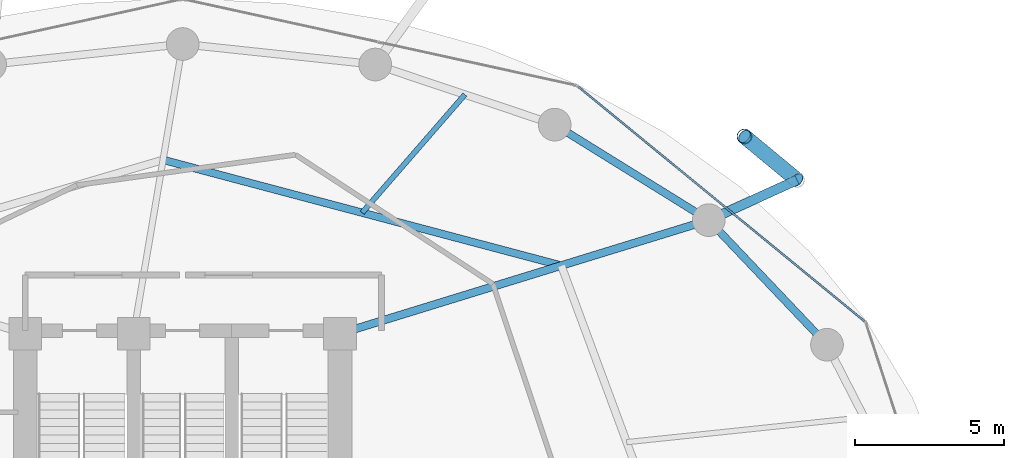
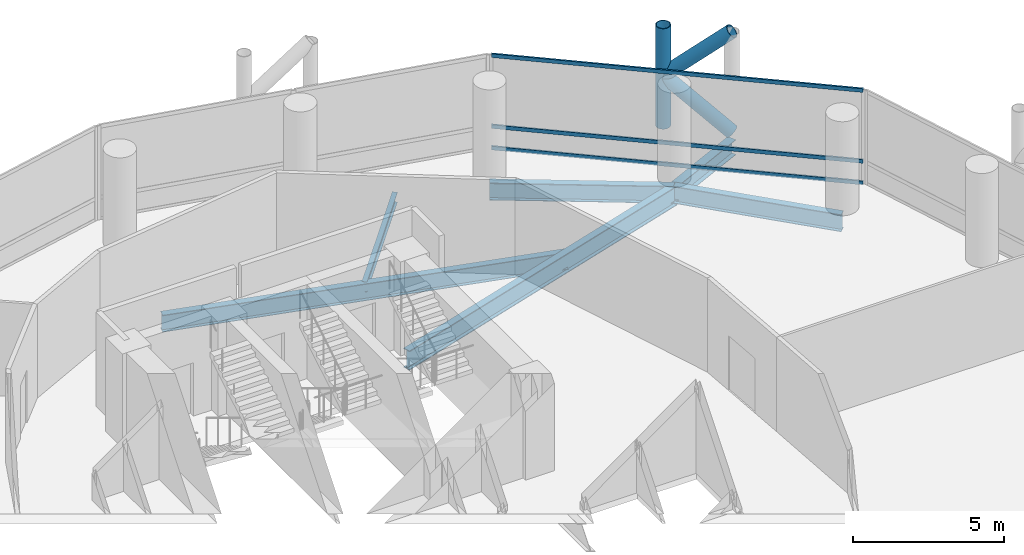
# One storey, part 17 of 24: 6 beams, 6 members, 1 element without a shape of its own.
"""IFC4 building model written with IfcOpenShell, lengths in metres."""

from ifc_helpers import new_model, si_unit, direction, frame, origin, origin_2d, place, context, subcontext, project, spatial, hollow_rectangle, hollow_circle, i_section, extrude, material, layer, layer_set, material_profile, profile_set, type_object, element, aggregate, save


model = new_model("IFC4")

# Units and contexts
model_context = context("Model", 3, precision=1e-05, world=origin(), true_north=direction((0.0, 1.0)))
body_context = subcontext(model_context, "Body", "Model", "MODEL_VIEW")
ifc_project = project(units=[si_unit("LENGTHUNIT", "METRE"), si_unit("AREAUNIT", "SQUARE_METRE"), si_unit("VOLUMEUNIT", "CUBIC_METRE"), si_unit("PLANEANGLEUNIT", "RADIAN"), si_unit("MASSUNIT", "GRAM", prefix="KILO")], contexts=[model_context])

# Site, building, storey
site_placement = place(None, origin())
site = spatial("IfcSite", under=ifc_project, at=site_placement, CompositionType="ELEMENT")
building_placement = place(site_placement, origin())
building = spatial("IfcBuilding", under=site, at=building_placement, Name="Nuhasar Tower", CompositionType="ELEMENT")
storey_placement = place(building_placement, frame((0.0, 0.0, 41.25)))
storey = spatial("IfcBuildingStorey", under=building, at=storey_placement, Name="L09", CompositionType="ELEMENT", Elevation=41.25)

# Beams
ifc_material_1 = material(Name="Steel S355", Category="steel")
ifc_material_profile_1 = material_profile(ifc_material_1, i_section(OverallWidth=0.25390625, OverallDepth=0.68408203125, WebThickness=0.012451171875, FlangeThickness=0.018798828125, at=origin_2d()), Name="W27X94")
ifc_profile_set_1 = profile_set([ifc_material_profile_1], Name="Steel S355")
beam_type_1 = type_object("IfcBeamType", Name="BM-INRING-W27X94", PredefinedType="BEAM", material=ifc_profile_set_1)
beam_1_placement = place(storey_placement, frame((51.748046875, 39.591064453125, -0.60205078125), z_axis=(-0.96653253005, 0.256544086574, 0.0), x_axis=(-0.256544086574, -0.96653253005, 0.0)))
element("IfcBeam", 1, at=beam_1_placement, inside=storey, type_object=beam_type_1, Name="L09 Inner Header Beam 05", PredefinedType="BEAM", context=body_context, shape_type="SweptSolid", body=[
    extrude(i_section(OverallWidth=0.25390625, OverallDepth=0.68408203125, WebThickness=0.012451171875, FlangeThickness=0.018798828125, at=origin_2d()), origin(), (0.0, 0.0, 1.0), 13.872314453125),
])
ifc_material_profile_2 = material_profile(ifc_material_1, i_section(OverallWidth=0.177978515625, OverallDepth=0.406005859375, WebThickness=0.0078125, FlangeThickness=0.0126953125, at=origin_2d()), Name="W16X40")
ifc_profile_set_2 = profile_set([ifc_material_profile_2], Name="Steel S355")
beam_type_2 = type_object("IfcBeamType", Name="BM-JST-W16X40", PredefinedType="JOIST", material=ifc_profile_set_2)
beam_2_placement = place(storey_placement, frame((45.0439453125, 41.3701171875, -0.462890625), z_axis=(0.656174129694, 0.754609509296, 0.0), x_axis=(-0.754609509296, 0.656174129694, 0.0)))
element("IfcBeam", 2, at=beam_2_placement, inside=storey, type_object=beam_type_2, Name="L09 Secondary Floor Joist 05", PredefinedType="JOIST", context=body_context, shape_type="SweptSolid", body=[
    extrude(i_section(OverallWidth=0.177978515625, OverallDepth=0.406005859375, WebThickness=0.0078125, FlangeThickness=0.0126953125, at=origin_2d()), origin(), (0.0, 0.0, 1.0), 5.27294921875),
])
ifc_material_profile_3 = material_profile(ifc_material_1, i_section(OverallWidth=0.26611328125, OverallDepth=0.779052734375, WebThickness=0.0166015625, FlangeThickness=0.030029296875, at=origin_2d()), Name="W30X148")
ifc_profile_set_3 = profile_set([ifc_material_profile_3], Name="Steel S355")
beam_type_3 = type_object("IfcBeamType", Name="BM-RAD-W30X148", PredefinedType="BEAM", material=ifc_profile_set_3)
beam_3_placement = place(storey_placement, frame((44.300048828125, 37.300048828125, -0.64892578125), z_axis=(0.955789576103, 0.294051502653, 0.0), x_axis=(-0.294051502653, 0.955789576103, 0.0)))
element("IfcBeam", 3, at=beam_3_placement, inside=storey, type_object=beam_type_3, Name="L09 Radial Floor Girder 05", PredefinedType="BEAM", context=body_context, shape_type="SweptSolid", body=[
    extrude(i_section(OverallWidth=0.26611328125, OverallDepth=0.779052734375, WebThickness=0.0166015625, FlangeThickness=0.030029296875, at=origin_2d()), origin(), (0.0, 0.0, 1.0), 12.987060546875),
])
ifc_material_profile_4 = material_profile(ifc_material_1, i_section(OverallWidth=0.256103515625, OverallDepth=0.693115234375, WebThickness=0.014404296875, FlangeThickness=0.023681640625, at=origin_2d()), Name="W27X114")
ifc_profile_set_4 = profile_set([ifc_material_profile_4], Name="Steel S355")
beam_type_4 = type_object("IfcBeamType", Name="BM-RING-W27X114", PredefinedType="SPANDREL", material=ifc_profile_set_4)
beam_4_placement = place(storey_placement, frame((60.694091796875, 36.925048828125, -0.60595703125), z_axis=(-0.688480893507, 0.725254478976, 0.0), x_axis=(-0.725254478976, -0.688480893507, 0.0)))
element("IfcBeam", 4, at=beam_4_placement, inside=storey, type_object=beam_type_4, Name="L09 Perimeter Ring Spandrel 03", PredefinedType="SPANDREL", context=body_context, shape_type="SweptSolid", body=[
    extrude(i_section(OverallWidth=0.256103515625, OverallDepth=0.693115234375, WebThickness=0.014404296875, FlangeThickness=0.023681640625, at=origin_2d()), origin(), (0.0, 0.0, 1.0), 5.782470703125),
])
beam_5_placement = place(storey_placement, frame((56.712890625, 41.118896484375, -0.60595703125), z_axis=(-0.849795216549, 0.527112976439, 0.0), x_axis=(-0.527112976439, -0.849795216549, 0.0)))
element("IfcBeam", 5, at=beam_5_placement, inside=storey, type_object=beam_type_4, Name="L09 Perimeter Ring Spandrel 04", PredefinedType="SPANDREL", context=body_context, shape_type="SweptSolid", body=[
    extrude(i_section(OverallWidth=0.256103515625, OverallDepth=0.693115234375, WebThickness=0.014404296875, FlangeThickness=0.023681640625, at=origin_2d()), origin(), (0.0, 0.0, 1.0), 6.10498046875),
])
ifc_material_profile_5 = material_profile(ifc_material_1, i_section(OverallWidth=0.323974609375, OverallDepth=0.611083984375, WebThickness=0.0126953125, FlangeThickness=0.01904296875, at=origin_2d()), Name="W24X104")
ifc_profile_set_5 = profile_set([ifc_material_profile_5], Name="Steel S355")
beam_type_5 = type_object("IfcBeamType", Name="BM-TIE-W24X104", PredefinedType="BEAM", material=ifc_profile_set_5)
beam_6_placement = place(storey_placement, frame((56.712890625, 41.118896484375, -0.56591796875), z_axis=(0.910243528587, 0.414073325227, 0.0), x_axis=(-0.414073325227, 0.910243528587, 0.0)))
element("IfcBeam", 6, at=beam_6_placement, inside=storey, type_object=beam_type_5, Name="L09 Exoskeleton Node Tie Beam 02", PredefinedType="BEAM", context=body_context, shape_type="SweptSolid", body=[
    extrude(i_section(OverallWidth=0.323974609375, OverallDepth=0.611083984375, WebThickness=0.0126953125, FlangeThickness=0.01904296875, at=origin_2d()), origin(), (0.0, 0.0, 1.0), 3.26513671875),
])

# Curtain wall, members
ifc_material_2 = material(Name="Aluminium 6063-T6", Category="aluminium")
ifc_layer = layer(ifc_material_2, 0.199951171875)
ifc_layer_set = layer_set([ifc_layer], Name="Aluminium 6063-T6")
curtain_wall_type = type_object("IfcCurtainWallType", Name="CW-Z1-OFF", PredefinedType="NOTDEFINED", material=ifc_layer_set)
curtain_wall_placement = place(storey_placement, origin())
curtain_wall = element("IfcCurtainWall", 7, at=curtain_wall_placement, inside=storey, type_object=curtain_wall_type, Name="L09 Unitised Curtain Wall 02", PredefinedType="NOTDEFINED")
ifc_material_profile_6 = material_profile(ifc_material_2, hollow_rectangle(XDim=0.06494140625, YDim=0.14990234375, WallThickness=0.00439453125, at=origin_2d()), Name="CWT-2")
ifc_profile_set_6 = profile_set([ifc_material_profile_6], Name="Aluminium 6063-T6")
member_type_1 = type_object("IfcMemberType", Name="CW-TRN-S2", PredefinedType="USERDEFINED", material=ifc_profile_set_6)
member_1_placement = place(storey_placement, frame((61.95166015625, 37.72119140625, 0.032470703125), z_axis=(-0.773540851599, 0.633746440548, 0.0), x_axis=(-0.633746440548, -0.773540851599, 0.0)))
member_1 = element("IfcMember", 8, at=member_1_placement, type_object=member_type_1, Name="CW-Z1 transom 1.1", ObjectType="TRANSOM", PredefinedType="USERDEFINED", context=body_context, shape_type="SweptSolid", body=[
    extrude(hollow_rectangle(XDim=0.06494140625, YDim=0.14990234375, WallThickness=0.00439453125, at=origin_2d()), origin(), (0.0, 0.0, 1.0), 12.43798828125),
])
member_2_placement = place(storey_placement, frame((61.95166015625, 37.72119140625, 0.89990234375), z_axis=(-0.773540851599, 0.633746440548, 0.0), x_axis=(-0.633746440548, -0.773540851599, 0.0)))
member_2 = element("IfcMember", 9, at=member_2_placement, type_object=member_type_1, Name="CW-Z1 transom 1.2", ObjectType="TRANSOM", PredefinedType="USERDEFINED", context=body_context, shape_type="SweptSolid", body=[
    extrude(hollow_rectangle(XDim=0.06494140625, YDim=0.14990234375, WallThickness=0.00439453125, at=origin_2d()), origin(), (0.0, 0.0, 1.0), 12.43798828125),
])
member_3_placement = place(storey_placement, frame((61.95166015625, 37.72119140625, 3.757568359375), z_axis=(-0.773540851599, 0.633746440548, 0.0), x_axis=(-0.633746440548, -0.773540851599, 0.0)))
member_3 = element("IfcMember", 10, at=member_3_placement, type_object=member_type_1, Name="CW-Z1 transom 1.3", ObjectType="TRANSOM", PredefinedType="USERDEFINED", context=body_context, shape_type="SweptSolid", body=[
    extrude(hollow_rectangle(XDim=0.06494140625, YDim=0.14990234375, WallThickness=0.00439453125, at=origin_2d()), origin(), (0.0, 0.0, 1.0), 12.43798828125),
])
aggregate(curtain_wall, [member_1, member_2, member_3])

# Members
ifc_material_3 = material(Name="Steel S460", Category="steel")
ifc_material_profile_7 = material_profile(ifc_material_3, hollow_circle(Radius=0.25390625, WallThickness=0.025390625, at=origin_2d()), Name="HSS508X25.4")
ifc_profile_set_7 = profile_set([ifc_material_profile_7], Name="Steel S460")
member_type_2 = type_object("IfcMemberType", Name="EXO-BRONZE-508", PredefinedType="BRACE", material=ifc_profile_set_7)
member_4_placement = place(storey_placement, frame((57.9130859375, 43.93896484375, 0.0), z_axis=(0.0, 0.0, 1.0), x_axis=(1.0, 0.0, 0.0)))
element("IfcMember", 11, at=member_4_placement, inside=storey, type_object=member_type_2, Name="L09 Exoskeleton Chord Column EC-02B", PredefinedType="BRACE", context=body_context, shape_type="SweptSolid", body=[
    extrude(hollow_circle(Radius=0.25390625, WallThickness=0.025390625, at=origin_2d()), origin(), (0.0, 0.0, 1.0), 4.050048828125),
])
member_5_placement = place(storey_placement, frame((59.68505859375, 42.470947265625, 0.0), z_axis=(-0.578101613167, 0.478937034992, 0.660619286251), x_axis=(-0.637969333506, -0.770061769929, 0.0)))
element("IfcMember", 12, at=member_5_placement, inside=storey, type_object=member_type_2, Name="L09 Bronze Diagrid Brace W1-02", PredefinedType="BRACE", context=body_context, shape_type="SweptSolid", body=[
    extrude(hollow_circle(Radius=0.25390625, WallThickness=0.025390625, at=origin_2d()), origin(), (0.0, 0.0, 1.0), 3.065185546875),
])
member_6_placement = place(storey_placement, frame((57.9130859375, 43.93896484375, 2.02490234375), z_axis=(0.578071194894, -0.478911834514, 0.660664172175), x_axis=(0.637969333506, 0.770061769929, 0.0)))
element("IfcMember", 13, at=member_6_placement, inside=storey, type_object=member_type_2, Name="L09 Bronze Diagrid Brace W2-02", PredefinedType="BRACE", context=body_context, shape_type="SweptSolid", body=[
    extrude(hollow_circle(Radius=0.25390625, WallThickness=0.025390625, at=origin_2d()), origin(), (0.0, 0.0, 1.0), 3.0654296875),
])

save(model, "model.ifc")
